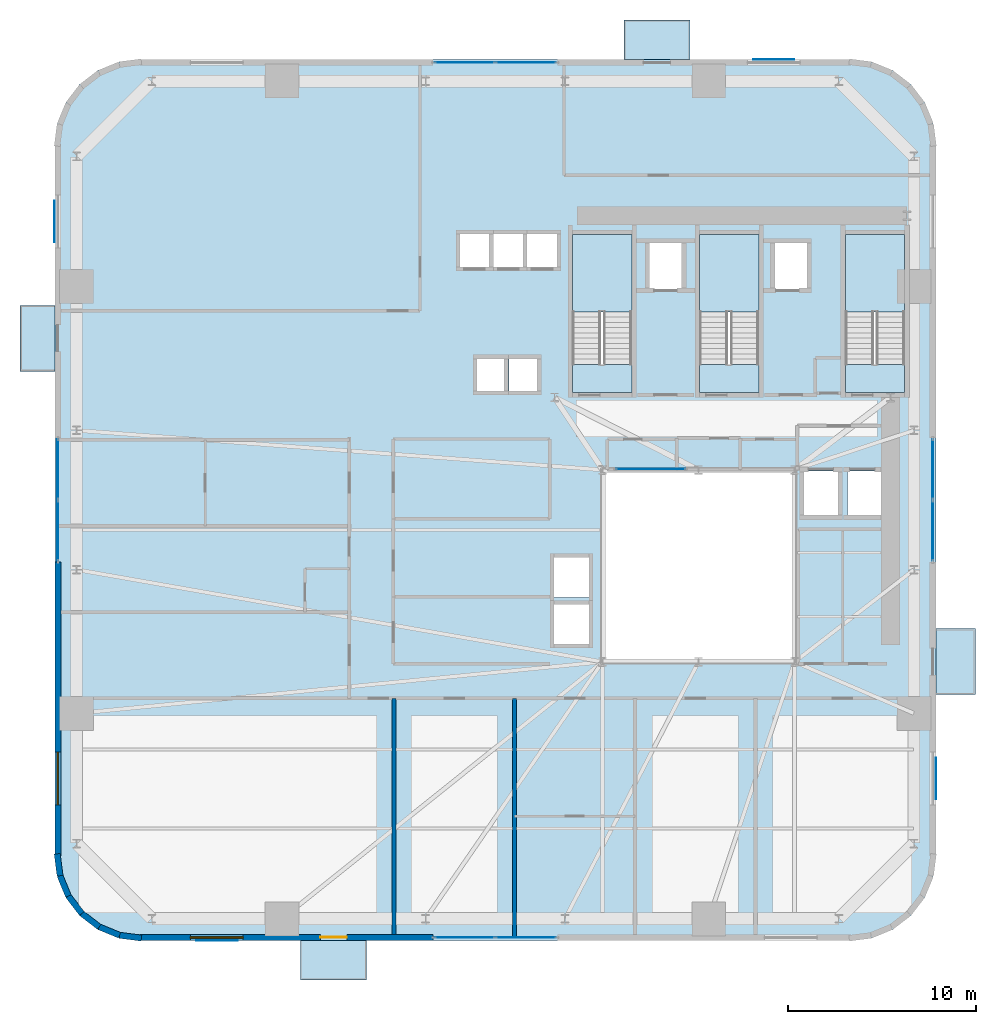
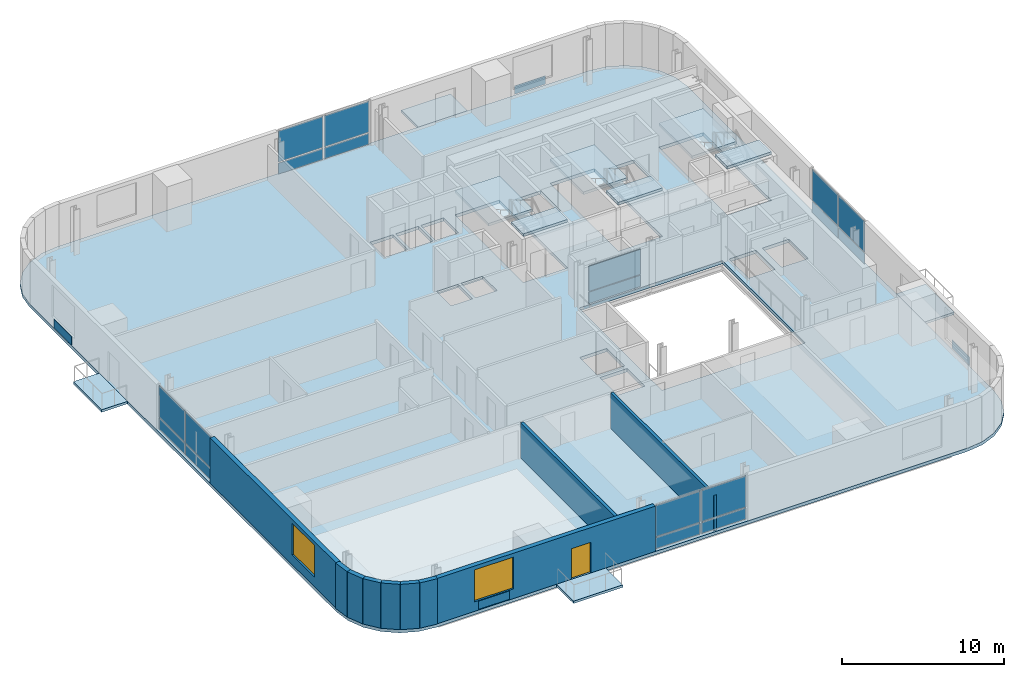
# One storey, part 5 of 13: 22 plates, 11 slabs, 10 walls, 2 windows, 1 door, 3 openings, 8 elements without a shape of their own.
"""IFC4 building model written with IfcOpenShell, lengths in metres."""

from ifc_helpers import new_model, si_unit, direction, frame, frame_2d, origin, origin_2d, place, context, subcontext, project, spatial, polyline, rectangle, outline, extrude, source, transform, mapped, material, layer, layer_set, type_object, element, fill, aggregate, save


model = new_model("IFC4")

# Units and contexts
model_context = context("Model", 3, precision=1e-05, world=origin(), true_north=direction((0.0, 1.0)))
body_context = subcontext(model_context, "Body", "Model", "MODEL_VIEW")
ifc_project = project(units=[si_unit("LENGTHUNIT", "METRE"), si_unit("AREAUNIT", "SQUARE_METRE"), si_unit("VOLUMEUNIT", "CUBIC_METRE"), si_unit("PLANEANGLEUNIT", "RADIAN"), si_unit("MASSUNIT", "GRAM", prefix="KILO")], contexts=[model_context])

# Site, building, storey
site_placement = place(None, origin())
site = spatial("IfcSite", under=ifc_project, at=site_placement, CompositionType="ELEMENT")
building_placement = place(site_placement, origin())
building = spatial("IfcBuilding", under=site, at=building_placement, Name="Vardaveli Station Tower", CompositionType="ELEMENT")
storey_placement = place(building_placement, frame((0.0, 0.0, 34.89990234375)))
storey = spatial("IfcBuildingStorey", under=building, at=storey_placement, Name="L08", CompositionType="ELEMENT", Elevation=34.89990234375)

# Stair, slabs
ifc_material_1 = material(Name="Concrete C40/50", Category="concrete")
stair_type = type_object("IfcStairType", Name="STR-CORE-1500", PredefinedType="HALF_TURN_STAIR", material=ifc_material_1)
stair_1_placement = place(storey_placement, origin())
stair_1 = element("IfcStair", 1, at=stair_1_placement, inside=storey, type_object=stair_type, Name="L08 ST-1", PredefinedType="HALF_TURN_STAIR")
ifc_layer_1 = layer(ifc_material_1, 0.199951171875, Name="Concrete C40/50")
ifc_layer_set_1 = layer_set([ifc_layer_1], Name="Concrete C40/50")
slab_type_1 = type_object("IfcSlabType", Name="SLB-LAND-200", PredefinedType="LANDING", material=ifc_layer_set_1)
slab_1_placement = place(storey_placement, frame((0.0, 0.0, 1.625)))
slab_1 = element("IfcSlab", 2, at=slab_1_placement, type_object=slab_type_1, Name="ST-1 landing 1", PredefinedType="LANDING", context=body_context, shape_type="SweptSolid", body=[
    extrude(outline(polyline([(32.75, 35.199951171875), (32.75, 39.300048828125), (29.60009765625, 39.300048828125), (29.60009765625, 35.199951171875), (32.75, 35.199951171875)])), origin(), (0.0, 0.0, 1.0), 0.2001953125),
])
slab_2_placement = place(storey_placement, frame((0.0, 0.0, 3.4501953125)))
slab_2 = element("IfcSlab", 3, at=slab_2_placement, type_object=slab_type_1, Name="ST-1 landing 2", PredefinedType="LANDING", context=body_context, shape_type="SweptSolid", body=[
    extrude(outline(polyline([(32.75, 30.89990234375), (32.75, 32.39990234375), (29.60009765625, 32.39990234375), (29.60009765625, 30.89990234375), (32.75, 30.89990234375)])), origin(), (0.0, 0.0, 1.0), 0.199951171875),
])
aggregate(stair_1, [slab_1, slab_2])

stair_2_placement = place(storey_placement, origin())
stair_2 = element("IfcStair", 4, at=stair_2_placement, inside=storey, type_object=stair_type, Name="L08 ST-2", PredefinedType="HALF_TURN_STAIR")
slab_3_placement = place(storey_placement, frame((0.0, 0.0, 1.625)))
slab_3 = element("IfcSlab", 5, at=slab_3_placement, type_object=slab_type_1, Name="ST-2 landing 1", PredefinedType="LANDING", context=body_context, shape_type="SweptSolid", body=[
    extrude(outline(polyline([(39.5, 35.199951171875), (39.5, 39.300048828125), (36.35009765625, 39.300048828125), (36.35009765625, 35.199951171875), (39.5, 35.199951171875)])), origin(), (0.0, 0.0, 1.0), 0.2001953125),
])
slab_4_placement = place(storey_placement, frame((0.0, 0.0, 3.4501953125)))
slab_4 = element("IfcSlab", 6, at=slab_4_placement, type_object=slab_type_1, Name="ST-2 landing 2", PredefinedType="LANDING", context=body_context, shape_type="SweptSolid", body=[
    extrude(outline(polyline([(39.5, 30.89990234375), (39.5, 32.39990234375), (36.35009765625, 32.39990234375), (36.35009765625, 30.89990234375), (39.5, 30.89990234375)])), origin(), (0.0, 0.0, 1.0), 0.199951171875),
])
aggregate(stair_2, [slab_3, slab_4])

stair_3_placement = place(storey_placement, origin())
stair_3 = element("IfcStair", 7, at=stair_3_placement, inside=storey, type_object=stair_type, Name="L08 ST-3", PredefinedType="HALF_TURN_STAIR")
slab_5_placement = place(storey_placement, frame((0.0, 0.0, 1.625)))
slab_5 = element("IfcSlab", 8, at=slab_5_placement, type_object=slab_type_1, Name="ST-3 landing 1", PredefinedType="LANDING", context=body_context, shape_type="SweptSolid", body=[
    extrude(outline(polyline([(47.25, 35.199951171875), (47.25, 39.300048828125), (44.10009765625, 39.300048828125), (44.10009765625, 35.199951171875), (47.25, 35.199951171875)])), origin(), (0.0, 0.0, 1.0), 0.2001953125),
])
slab_6_placement = place(storey_placement, frame((0.0, 0.0, 3.4501953125)))
slab_6 = element("IfcSlab", 9, at=slab_6_placement, type_object=slab_type_1, Name="ST-3 landing 2", PredefinedType="LANDING", context=body_context, shape_type="SweptSolid", body=[
    extrude(outline(polyline([(47.25, 30.89990234375), (47.25, 32.39990234375), (44.10009765625, 32.39990234375), (44.10009765625, 30.89990234375), (47.25, 30.89990234375)])), origin(), (0.0, 0.0, 1.0), 0.199951171875),
])
aggregate(stair_3, [slab_5, slab_6])

# Slabs
ifc_material_2 = material(Name="Precast concrete C45/55", Category="concrete")
ifc_layer_2 = layer(ifc_material_2, 0.179931640625, Name="Precast concrete C45/55")
ifc_layer_set_2 = layer_set([ifc_layer_2], Name="Precast concrete C45/55")
slab_type_2 = type_object("IfcSlabType", Name="SLB-LOGGIA-180", PredefinedType="FLOOR", material=ifc_layer_set_2)
slab_7_placement = place(storey_placement, frame((0.0, 0.0, -0.179931640625)))
element("IfcSlab", 10, at=slab_7_placement, inside=storey, type_object=slab_type_2, Name="LOG-L08-S", PredefinedType="FLOOR", context=body_context, shape_type="SweptSolid", body=[
    extrude(outline(polyline([(15.160400390625, -0.300048828125), (18.660400390625, -0.300048828125), (18.660400390625, 1.800048828125), (15.160400390625, 1.800048828125), (15.160400390625, -0.300048828125)])), origin(), (0.0, 0.0, 1.0), 0.179931640625),
])
slab_8_placement = place(storey_placement, frame((0.0, 0.0, -0.179931640625)))
element("IfcSlab", 11, at=slab_8_placement, inside=storey, type_object=slab_type_2, Name="LOG-L08-N", PredefinedType="FLOOR", context=body_context, shape_type="SweptSolid", body=[
    extrude(outline(polyline([(32.339599609375, 48.60009765625), (35.839599609375, 48.60009765625), (35.839599609375, 50.699951171875), (32.339599609375, 50.699951171875), (32.339599609375, 48.60009765625)])), origin(), (0.0, 0.0, 1.0), 0.179931640625),
])
slab_9_placement = place(storey_placement, frame((0.0, 0.0, -0.179931640625)))
element("IfcSlab", 12, at=slab_9_placement, inside=storey, type_object=slab_type_2, Name="LOG-L08-W", PredefinedType="FLOOR", context=body_context, shape_type="SweptSolid", body=[
    extrude(outline(polyline([(0.25, 32.03955078125), (2.10009765625, 32.03955078125), (2.10009765625, 35.53955078125), (0.25, 35.53955078125), (0.25, 32.03955078125)])), origin(), (0.0, 0.0, 1.0), 0.179931640625),
])
slab_10_placement = place(storey_placement, frame((0.0, 0.0, -0.179931640625)))
element("IfcSlab", 13, at=slab_10_placement, inside=storey, type_object=slab_type_2, Name="LOG-L08-E", PredefinedType="FLOOR", context=body_context, shape_type="SweptSolid", body=[
    extrude(outline(polyline([(48.89990234375, 14.8603515625), (51.0, 14.8603515625), (51.0, 18.3603515625), (48.89990234375, 18.3603515625), (48.89990234375, 14.8603515625)])), origin(), (0.0, 0.0, 1.0), 0.179931640625),
])
ifc_layer_3 = layer(ifc_material_1, 0.239990234375, Name="Concrete C40/50")
ifc_layer_set_3 = layer_set([ifc_layer_3], Name="Concrete C40/50")
slab_type_3 = type_object("IfcSlabType", Name="SLB-TOW-240", PredefinedType="FLOOR", material=ifc_layer_set_3)
slab_11_placement = place(storey_placement, frame((0.0, 0.0, -0.239990234375)))
element("IfcSlab", 14, at=slab_11_placement, inside=storey, type_object=slab_type_3, Name="SLB-L08-MAIN", PredefinedType="FLOOR", context=body_context, shape_type="SweptSolid", body=[
    extrude(outline(polyline([(2.10009765625, 6.300048828125), (2.25341796875, 5.13525390625), (2.702880859375, 4.050048828125), (3.41796875, 3.117919921875), (4.35009765625, 2.40283203125), (5.435302734375, 1.953369140625), (6.60009765625, 1.800048828125), (44.39990234375, 1.800048828125), (45.564697265625, 1.953369140625), (46.64990234375, 2.40283203125), (47.58203125, 3.117919921875), (48.297119140625, 4.050048828125), (48.74658203125, 5.13525390625), (48.89990234375, 6.300048828125), (48.89990234375, 44.10009765625), (48.74658203125, 45.2646484375), (48.297119140625, 46.35009765625), (47.58203125, 47.281982421875), (46.64990234375, 47.9970703125), (45.564697265625, 48.44677734375), (44.39990234375, 48.60009765625), (6.60009765625, 48.60009765625), (5.435302734375, 48.44677734375), (4.35009765625, 47.9970703125), (3.41796875, 47.281982421875), (2.702880859375, 46.35009765625), (2.25341796875, 45.2646484375), (2.10009765625, 44.10009765625), (2.10009765625, 6.300048828125)]), holes=[polyline([(31.199951171875, 16.60009765625), (41.39990234375, 16.60009765625), (41.39990234375, 26.800048828125), (31.199951171875, 26.800048828125), (31.199951171875, 16.60009765625)]), polyline([(32.75, 30.89990234375), (32.75, 39.300048828125), (29.60009765625, 39.300048828125), (29.60009765625, 30.89990234375), (32.75, 30.89990234375)]), polyline([(39.5, 30.89990234375), (39.5, 39.300048828125), (36.35009765625, 39.300048828125), (36.35009765625, 30.89990234375), (39.5, 30.89990234375)]), polyline([(47.25, 30.89990234375), (47.25, 39.300048828125), (44.10009765625, 39.300048828125), (44.10009765625, 30.89990234375), (47.25, 30.89990234375)]), polyline([(23.5849609375, 37.534912109375), (25.215087890625, 37.534912109375), (25.215087890625, 39.364990234375), (23.5849609375, 39.364990234375), (23.5849609375, 37.534912109375)]), polyline([(25.385009765625, 37.534912109375), (27.014892578125, 37.534912109375), (27.014892578125, 39.364990234375), (25.385009765625, 39.364990234375), (25.385009765625, 37.534912109375)]), polyline([(27.18505859375, 37.534912109375), (28.81494140625, 37.534912109375), (28.81494140625, 39.364990234375), (27.18505859375, 39.364990234375), (27.18505859375, 37.534912109375)]), polyline([(33.659912109375, 36.409912109375), (35.43994140625, 36.409912109375), (35.43994140625, 38.889892578125), (33.659912109375, 38.889892578125), (33.659912109375, 36.409912109375)]), polyline([(40.31005859375, 36.409912109375), (42.090087890625, 36.409912109375), (42.090087890625, 38.889892578125), (40.31005859375, 38.889892578125), (40.31005859375, 36.409912109375)]), polyline([(24.485107421875, 30.9599609375), (26.014892578125, 30.9599609375), (26.014892578125, 32.739990234375), (24.485107421875, 32.739990234375), (24.485107421875, 30.9599609375)]), polyline([(26.235107421875, 30.9599609375), (27.764892578125, 30.9599609375), (27.764892578125, 32.739990234375), (26.235107421875, 32.739990234375), (26.235107421875, 30.9599609375)]), polyline([(28.5849609375, 17.510009765625), (30.514892578125, 17.510009765625), (30.514892578125, 19.68994140625), (28.5849609375, 19.68994140625), (28.5849609375, 17.510009765625)]), polyline([(28.5849609375, 20.010009765625), (30.514892578125, 20.010009765625), (30.514892578125, 22.18994140625), (28.5849609375, 22.18994140625), (28.5849609375, 20.010009765625)]), polyline([(41.860107421875, 24.360107421875), (43.739990234375, 24.360107421875), (43.739990234375, 26.739990234375), (41.860107421875, 26.739990234375), (41.860107421875, 24.360107421875)]), polyline([(44.2099609375, 24.360107421875), (46.090087890625, 24.360107421875), (46.090087890625, 26.739990234375), (44.2099609375, 26.739990234375), (44.2099609375, 24.360107421875)])]), origin(), (0.0, 0.0, 1.0), 0.239990234375),
])

# Curtain wall, plates
ifc_material_3 = material(Name="Travertine stone and solar-control glass", Category="masonry")
curtain_wall_type_1 = type_object("IfcCurtainWallType", Name="CW-SYS-2", PredefinedType="NOTDEFINED", material=ifc_material_3)
curtain_wall_1_placement = place(storey_placement, origin())
curtain_wall_1 = element("IfcCurtainWall", 15, at=curtain_wall_1_placement, inside=storey, type_object=curtain_wall_type_1, Name="CW-L08-S", PredefinedType="NOTDEFINED")
ifc_material_4 = material(Name="Double-glazed low-E solar-control glass", Category="glass")
ifc_layer_4 = layer(ifc_material_4, 0.035888671875, Name="Double-glazed low-E solar-control glass")
ifc_layer_set_4 = layer_set([ifc_layer_4], Name="Double-glazed low-E solar-control glass")
plate_type_1 = type_object("IfcPlateType", Name="CW-SYS-2-PAN", PredefinedType="CURTAIN_PANEL", material=ifc_layer_set_4)
shared_shape_1 = source(origin(), body_context, "Body", "SweptSolid", [
    extrude(rectangle(XDim=3.172607421875, YDim=0.035888671875, at=origin_2d()), origin(), (0.0, 0.0, 1.0), 0.822509765625),
])
plate_1_placement = place(storey_placement, frame((23.871337890625, 1.9599609375, 0.0849609375), z_axis=(0.0, 0.0, 1.0), x_axis=(1.0, 0.0, 0.0)))
plate_1 = element("IfcPlate", 16, at=plate_1_placement, type_object=plate_type_1, Name="CW-2 panel 1.1", PredefinedType="CURTAIN_PANEL", context=body_context, shape_type="MappedRepresentation", body=[
    mapped(shared_shape_1, transform((0.0, 0.0, 0.0), scale=1.0)),
])
plate_2_placement = place(storey_placement, frame((27.128662109375, 1.9599609375, 0.0849609375), z_axis=(0.0, 0.0, 1.0), x_axis=(1.0, 0.0, 0.0)))
plate_2 = element("IfcPlate", 17, at=plate_2_placement, type_object=plate_type_1, Name="CW-2 panel 2.1", PredefinedType="CURTAIN_PANEL", context=body_context, shape_type="MappedRepresentation", body=[
    mapped(shared_shape_1, transform((0.0, 0.0, 0.0), scale=1.0)),
])

curtain_wall_2_placement = place(storey_placement, origin())
curtain_wall_2 = element("IfcCurtainWall", 18, at=curtain_wall_2_placement, inside=storey, type_object=curtain_wall_type_1, Name="CW-L08-N", PredefinedType="NOTDEFINED")
plate_3_placement = place(storey_placement, frame((27.128662109375, 48.43994140625, 0.0849609375), z_axis=(0.0, 0.0, 1.0), x_axis=(-1.0, 0.0, 0.0)))
plate_3 = element("IfcPlate", 19, at=plate_3_placement, type_object=plate_type_1, Name="CW-2 panel 1.1", PredefinedType="CURTAIN_PANEL", context=body_context, shape_type="MappedRepresentation", body=[
    mapped(shared_shape_1, transform((0.0, 0.0, 0.0), scale=1.0)),
])
plate_4_placement = place(storey_placement, frame((23.871337890625, 48.43994140625, 0.0849609375), z_axis=(0.0, 0.0, 1.0), x_axis=(-1.0, 0.0, 0.0)))
plate_4 = element("IfcPlate", 20, at=plate_4_placement, type_object=plate_type_1, Name="CW-2 panel 2.1", PredefinedType="CURTAIN_PANEL", context=body_context, shape_type="MappedRepresentation", body=[
    mapped(shared_shape_1, transform((0.0, 0.0, 0.0), scale=1.0)),
])

curtain_wall_3_placement = place(storey_placement, origin())
curtain_wall_3 = element("IfcCurtainWall", 21, at=curtain_wall_3_placement, inside=storey, type_object=curtain_wall_type_1, Name="CW-L08-W", PredefinedType="NOTDEFINED")
plate_5_placement = place(storey_placement, frame((2.260009765625, 26.828857421875, 0.0849609375), z_axis=(0.0, 0.0, 1.0), x_axis=(0.0, -1.0, 0.0)))
plate_5 = element("IfcPlate", 22, at=plate_5_placement, type_object=plate_type_1, Name="CW-2 panel 1.1", PredefinedType="CURTAIN_PANEL", context=body_context, shape_type="MappedRepresentation", body=[
    mapped(shared_shape_1, transform((0.0, 0.0, 0.0), scale=1.0)),
])
plate_6_placement = place(storey_placement, frame((2.260009765625, 23.5712890625, 0.0849609375), z_axis=(0.0, 0.0, 1.0), x_axis=(0.0, -1.0, 0.0)))
plate_6 = element("IfcPlate", 23, at=plate_6_placement, type_object=plate_type_1, Name="CW-2 panel 2.1", PredefinedType="CURTAIN_PANEL", context=body_context, shape_type="MappedRepresentation", body=[
    mapped(shared_shape_1, transform((0.0, 0.0, 0.0), scale=1.0)),
])

curtain_wall_4_placement = place(storey_placement, origin())
curtain_wall_4 = element("IfcCurtainWall", 24, at=curtain_wall_4_placement, inside=storey, type_object=curtain_wall_type_1, Name="CW-L08-E", PredefinedType="NOTDEFINED")
plate_7_placement = place(storey_placement, frame((48.739990234375, 23.5712890625, 0.0849609375), z_axis=(0.0, 0.0, 1.0), x_axis=(0.0, 1.0, 0.0)))
plate_7 = element("IfcPlate", 25, at=plate_7_placement, type_object=plate_type_1, Name="CW-2 panel 1.1", PredefinedType="CURTAIN_PANEL", context=body_context, shape_type="MappedRepresentation", body=[
    mapped(shared_shape_1, transform((0.0, 0.0, 0.0), scale=1.0)),
])
plate_8_placement = place(storey_placement, frame((48.739990234375, 26.828857421875, 0.0849609375), z_axis=(0.0, 0.0, 1.0), x_axis=(0.0, 1.0, 0.0)))
plate_8 = element("IfcPlate", 26, at=plate_8_placement, type_object=plate_type_1, Name="CW-2 panel 2.1", PredefinedType="CURTAIN_PANEL", context=body_context, shape_type="MappedRepresentation", body=[
    mapped(shared_shape_1, transform((0.0, 0.0, 0.0), scale=1.0)),
])

# Plate
shared_shape_2 = source(origin(), body_context, "Body", "SweptSolid", [
    extrude(rectangle(XDim=3.172607421875, YDim=0.035888671875, at=origin_2d()), origin(), (0.0, 0.0, 1.0), 2.33251953125),
])
plate_9_placement = place(storey_placement, frame((23.871337890625, 1.9599609375, 0.99267578125), z_axis=(0.0, 0.0, 1.0), x_axis=(1.0, 0.0, 0.0)))
plate_9 = element("IfcPlate", 27, at=plate_9_placement, type_object=plate_type_1, Name="CW-2 panel 1.2", PredefinedType="CURTAIN_PANEL", context=body_context, shape_type="MappedRepresentation", body=[
    mapped(shared_shape_2, transform((0.0, 0.0, 0.0), scale=1.0)),
])

plate_10_placement = place(storey_placement, frame((27.128662109375, 1.9599609375, 0.99267578125), z_axis=(0.0, 0.0, 1.0), x_axis=(1.0, 0.0, 0.0)))
plate_10 = element("IfcPlate", 28, at=plate_10_placement, type_object=plate_type_1, Name="CW-2 panel 2.2", PredefinedType="CURTAIN_PANEL", context=body_context, shape_type="MappedRepresentation", body=[
    mapped(shared_shape_2, transform((0.0, 0.0, 0.0), scale=1.0)),
])

aggregate(curtain_wall_1, [plate_1, plate_9, plate_2, plate_10])

plate_11_placement = place(storey_placement, frame((27.128662109375, 48.43994140625, 0.99267578125), z_axis=(0.0, 0.0, 1.0), x_axis=(-1.0, 0.0, 0.0)))
plate_11 = element("IfcPlate", 29, at=plate_11_placement, type_object=plate_type_1, Name="CW-2 panel 1.2", PredefinedType="CURTAIN_PANEL", context=body_context, shape_type="MappedRepresentation", body=[
    mapped(shared_shape_2, transform((0.0, 0.0, 0.0), scale=1.0)),
])

plate_12_placement = place(storey_placement, frame((23.871337890625, 48.43994140625, 0.99267578125), z_axis=(0.0, 0.0, 1.0), x_axis=(-1.0, 0.0, 0.0)))
plate_12 = element("IfcPlate", 30, at=plate_12_placement, type_object=plate_type_1, Name="CW-2 panel 2.2", PredefinedType="CURTAIN_PANEL", context=body_context, shape_type="MappedRepresentation", body=[
    mapped(shared_shape_2, transform((0.0, 0.0, 0.0), scale=1.0)),
])

aggregate(curtain_wall_2, [plate_3, plate_11, plate_4, plate_12])

plate_13_placement = place(storey_placement, frame((2.260009765625, 26.828857421875, 0.99267578125), z_axis=(0.0, 0.0, 1.0), x_axis=(0.0, -1.0, 0.0)))
plate_13 = element("IfcPlate", 31, at=plate_13_placement, type_object=plate_type_1, Name="CW-2 panel 1.2", PredefinedType="CURTAIN_PANEL", context=body_context, shape_type="MappedRepresentation", body=[
    mapped(shared_shape_2, transform((0.0, 0.0, 0.0), scale=1.0)),
])

plate_14_placement = place(storey_placement, frame((2.260009765625, 23.5712890625, 0.99267578125), z_axis=(0.0, 0.0, 1.0), x_axis=(0.0, -1.0, 0.0)))
plate_14 = element("IfcPlate", 32, at=plate_14_placement, type_object=plate_type_1, Name="CW-2 panel 2.2", PredefinedType="CURTAIN_PANEL", context=body_context, shape_type="MappedRepresentation", body=[
    mapped(shared_shape_2, transform((0.0, 0.0, 0.0), scale=1.0)),
])

aggregate(curtain_wall_3, [plate_5, plate_13, plate_6, plate_14])

plate_15_placement = place(storey_placement, frame((48.739990234375, 23.5712890625, 0.99267578125), z_axis=(0.0, 0.0, 1.0), x_axis=(0.0, 1.0, 0.0)))
plate_15 = element("IfcPlate", 33, at=plate_15_placement, type_object=plate_type_1, Name="CW-2 panel 1.2", PredefinedType="CURTAIN_PANEL", context=body_context, shape_type="MappedRepresentation", body=[
    mapped(shared_shape_2, transform((0.0, 0.0, 0.0), scale=1.0)),
])

plate_16_placement = place(storey_placement, frame((48.739990234375, 26.828857421875, 0.99267578125), z_axis=(0.0, 0.0, 1.0), x_axis=(0.0, 1.0, 0.0)))
plate_16 = element("IfcPlate", 34, at=plate_16_placement, type_object=plate_type_1, Name="CW-2 panel 2.2", PredefinedType="CURTAIN_PANEL", context=body_context, shape_type="MappedRepresentation", body=[
    mapped(shared_shape_2, transform((0.0, 0.0, 0.0), scale=1.0)),
])

aggregate(curtain_wall_4, [plate_7, plate_15, plate_8, plate_16])

# Plates
ifc_material_5 = material(Name="Honed Caucasian travertine stone", Category="masonry")
ifc_layer_5 = layer(ifc_material_5, 0.034912109375, Name="Honed Caucasian travertine stone")
ifc_layer_set_5 = layer_set([ifc_layer_5], Name="Honed Caucasian travertine stone")
plate_type_2 = type_object("IfcPlateType", Name="PLT-TRAV-35", PredefinedType="SHEET", material=ifc_layer_set_5)
shared_shape_3 = source(origin(), body_context, "Body", "SweptSolid", [
    extrude(rectangle(XDim=2.199951171875, YDim=0.034912109375, at=origin_2d()), origin(), (0.0, 0.0, 1.0), 0.6201171875),
])
for number, where, z_axis, x_axis, name in (
    (35, (10.705078125, 1.79052734375, 0.070068359375), (0.0, 0.0, 1.0), (1.0, 0.0, 0.0), "PLT-TR-L08-S"),
    (36, (40.294921875, 48.609619140625, 0.070068359375), (0.0, 0.0, 1.0), (1.0, 0.0, 0.0), "PLT-TR-L08-N"),
    (37, (2.090576171875, 39.9951171875, 0.070068359375), (0.0, 0.0, 1.0), (0.0, 1.0, 0.0), "PLT-TR-L08-W"),
    (38, (48.909423828125, 10.405029296875, 0.070068359375), (0.0, 0.0, 1.0), (0.0, 1.0, 0.0), "PLT-TR-L08-E"),
):
    element("IfcPlate", number, at=place(storey_placement, frame(where, z_axis=z_axis, x_axis=x_axis)), inside=storey, type_object=plate_type_2, Name=name, PredefinedType="SHEET", context=body_context, shape_type="MappedRepresentation", body=[
        mapped(shared_shape_3, transform((0.0, 0.0, 0.0), scale=1.0)),
    ])

# Curtain wall, plates
curtain_wall_type_2 = type_object("IfcCurtainWallType", Name="CW-SYS-4", PredefinedType="NOTDEFINED", material=ifc_material_3)
curtain_wall_5_placement = place(storey_placement, origin())
curtain_wall_5 = element("IfcCurtainWall", 39, at=curtain_wall_5_placement, inside=storey, type_object=curtain_wall_type_2, Name="CW-L08-ATN", PredefinedType="NOTDEFINED")
ifc_layer_6 = layer(ifc_material_4, 0.028076171875, Name="Double-glazed low-E solar-control glass")
ifc_layer_set_6 = layer_set([ifc_layer_6], Name="Double-glazed low-E solar-control glass")
plate_type_3 = type_object("IfcPlateType", Name="CW-SYS-4-PAN", PredefinedType="CURTAIN_PANEL", material=ifc_layer_set_6)
shared_shape_4 = source(origin(), body_context, "Body", "SweptSolid", [
    extrude(rectangle(XDim=3.659912109375, YDim=0.028076171875, at=origin_2d()), origin(), (0.0, 0.0, 1.0), 0.844970703125),
])
plate_17_placement = place(storey_placement, frame((33.75, 26.85009765625, 0.0703125), z_axis=(0.0, 0.0, 1.0), x_axis=(1.0, 0.0, 0.0)))
plate_17 = element("IfcPlate", 40, at=plate_17_placement, type_object=plate_type_3, Name="CW-4 panel 1.1", PredefinedType="CURTAIN_PANEL", context=body_context, shape_type="MappedRepresentation", body=[
    mapped(shared_shape_4, transform((0.0, 0.0, 0.0), scale=1.0)),
])
shared_shape_5 = source(origin(), body_context, "Body", "SweptSolid", [
    extrude(rectangle(XDim=3.659912109375, YDim=0.028076171875, at=origin_2d()), origin(), (0.0, 0.0, 1.0), 1.89501953125),
])
plate_18_placement = place(storey_placement, frame((33.75, 26.85009765625, 0.985107421875), z_axis=(0.0, 0.0, 1.0), x_axis=(1.0, 0.0, 0.0)))
plate_18 = element("IfcPlate", 41, at=plate_18_placement, type_object=plate_type_3, Name="CW-4 panel 1.2", PredefinedType="CURTAIN_PANEL", context=body_context, shape_type="MappedRepresentation", body=[
    mapped(shared_shape_5, transform((0.0, 0.0, 0.0), scale=1.0)),
])
aggregate(curtain_wall_5, [plate_17, plate_18])

# Wall, openings, door, window
ifc_layer_7 = layer(ifc_material_2, 0.320068359375, Name="Precast concrete C45/55")
ifc_layer_set_7 = layer_set([ifc_layer_7], Name="Precast concrete C45/55")
wall_type_1 = type_object("IfcWallType", Name="WAL-EXT-STONE-320", PredefinedType="SOLIDWALL", material=ifc_layer_set_7)
shared_shape_6 = source(origin(), body_context, "Body", "SweptSolid", [
    extrude(rectangle(XDim=15.599853515625, YDim=0.320068359375, at=frame_2d((7.7998046875, 0.0))), origin(), (0.0, 0.0, 1.0), 3.41015625),
])
wall_1_placement = place(storey_placement, frame((6.60009765625, 1.9599609375, 0.0), z_axis=(0.0, 0.0, 1.0), x_axis=(1.0, 0.0, 0.0)))
wall_1 = element("IfcWall", 42, at=wall_1_placement, inside=storey, type_object=wall_type_1, Name="EW-L08-S1", PredefinedType="SOLIDWALL", context=body_context, shape_type="MappedRepresentation", body=[
    mapped(shared_shape_6, transform((0.0, 0.0, 0.0), scale=1.0)),
])
shared_shape_7 = source(origin(), body_context, "Body", "SweptSolid", [
    extrude(rectangle(XDim=1.39990234375, YDim=2.300048828125, at=frame_2d((0.699951171875, 1.14990234375))), frame((0.0, 0.169921875, 0.0), z_axis=(0.0, -1.0, 0.0), x_axis=(1.0, 0.0, 0.0)), (0.0, 0.0, 1.0), 0.340087890625),
])
opening_1_placement = place(wall_1_placement, frame((9.6103515625, 0.0, 0.0)))
opening_1 = element("IfcOpeningElement", 43, at=opening_1_placement, cuts=wall_1, Name="Opening D-09", PredefinedType="OPENING", context=body_context, shape_type="MappedRepresentation", body=[
    mapped(shared_shape_7, transform((0.0, 0.0, 0.0), scale=1.0)),
])
shared_shape_8 = source(origin(), body_context, "Body", "SweptSolid", [
    extrude(rectangle(XDim=2.800048828125, YDim=2.39990234375, at=frame_2d((1.39990234375, 1.199951171875))), frame((0.0, 0.169921875, 0.0), z_axis=(0.0, -1.0, 0.0), x_axis=(1.0, 0.0, 0.0)), (0.0, 0.0, 1.0), 0.340087890625),
])
opening_2_placement = place(wall_1_placement, frame((2.705078125, 0.0, 0.719970703125)))
opening_2 = element("IfcOpeningElement", 44, at=opening_2_placement, cuts=wall_1, Name="Opening W-04", PredefinedType="OPENING", context=body_context, shape_type="MappedRepresentation", body=[
    mapped(shared_shape_8, transform((0.0, 0.0, 0.0), scale=1.0)),
])
ifc_material_6 = material(Name="Thermally broken aluminium glass", Category="aluminium")
door_type = type_object("IfcDoorType", Name="DR-LOG-1400x2300", OperationType="DOUBLE_DOOR_SLIDING", PredefinedType="DOOR", material=ifc_material_6)
shared_shape_9 = source(origin(), body_context, "Body", "SweptSolid", [
    extrude(rectangle(XDim=1.39990234375, YDim=2.300048828125, at=frame_2d((0.699951171875, 1.14990234375))), frame((0.0, 0.02490234375, 0.0), z_axis=(0.0, -1.0, 0.0), x_axis=(1.0, 0.0, 0.0)), (0.0, 0.0, 1.0), 0.050048828125),
])
door_placement = place(opening_1_placement, frame((1.39990234375, 0.0, 0.0), z_axis=(0.0, 0.0, 1.0), x_axis=(-1.0, 0.0, 0.0)))
door = element("IfcDoor", 45, at=door_placement, inside=storey, type_object=door_type, Name="DLG-L08-S", OperationType="DOUBLE_DOOR_SLIDING", OverallHeight=2.300048828125, OverallWidth=1.39990234375, PredefinedType="DOOR", context=body_context, shape_type="MappedRepresentation", body=[
    mapped(shared_shape_9, transform((0.0, 0.0, 0.0), scale=1.0)),
])
fill(opening_1, door)
ifc_material_7 = material(Name="Low-E solar-control glass", Category="glass")
window_type = type_object("IfcWindowType", Name="WIN-SUITE-2800x2400", PartitioningType="SINGLE_PANEL", PredefinedType="WINDOW", material=ifc_material_7)
shared_shape_10 = source(origin(), body_context, "Body", "SweptSolid", [
    extrude(rectangle(XDim=2.800048828125, YDim=2.39990234375, at=frame_2d((1.39990234375, 1.199951171875))), frame((0.0, 0.030029296875, 0.0), z_axis=(0.0, -1.0, 0.0), x_axis=(1.0, 0.0, 0.0)), (0.0, 0.0, 1.0), 0.06005859375),
])
window_1_placement = place(opening_2_placement, origin())
window_1 = element("IfcWindow", 46, at=window_1_placement, inside=storey, type_object=window_type, Name="WN-L08-S1", OverallHeight=2.39990234375, OverallWidth=2.800048828125, PartitioningType="SINGLE_PANEL", PredefinedType="WINDOW", context=body_context, shape_type="MappedRepresentation", body=[
    mapped(shared_shape_10, transform((0.0, 0.0, 0.0), scale=1.0)),
])
fill(opening_2, window_1)

# Wall, opening, window
wall_2_placement = place(storey_placement, frame((2.260009765625, 21.89990234375, 0.0), z_axis=(0.0, 0.0, 1.0), x_axis=(0.0, -1.0, 0.0)))
wall_2 = element("IfcWall", 47, at=wall_2_placement, inside=storey, type_object=wall_type_1, Name="EW-L08-W2", PredefinedType="SOLIDWALL", context=body_context, shape_type="MappedRepresentation", body=[
    mapped(shared_shape_6, transform((0.0, 0.0, 0.0), scale=1.0)),
])
opening_3_placement = place(wall_2_placement, frame((10.094970703125, 0.0, 0.719970703125)))
opening_3 = element("IfcOpeningElement", 48, at=opening_3_placement, cuts=wall_2, Name="Opening W-04", PredefinedType="OPENING", context=body_context, shape_type="MappedRepresentation", body=[
    mapped(shared_shape_8, transform((0.0, 0.0, 0.0), scale=1.0)),
])
window_2_placement = place(opening_3_placement, origin())
window_2 = element("IfcWindow", 49, at=window_2_placement, inside=storey, type_object=window_type, Name="WN-L08-W2", OverallHeight=2.39990234375, OverallWidth=2.800048828125, PartitioningType="SINGLE_PANEL", PredefinedType="WINDOW", context=body_context, shape_type="MappedRepresentation", body=[
    mapped(shared_shape_10, transform((0.0, 0.0, 0.0), scale=1.0)),
])
fill(opening_3, window_2)

# Walls
shared_shape_11 = source(origin(), body_context, "Body", "SweptSolid", [
    extrude(rectangle(XDim=1.170654296875, YDim=0.320068359375, at=frame_2d((0.58544921875, 0.0))), origin(), (0.0, 0.0, 1.0), 3.41015625),
])
wall_3_placement = place(storey_placement, frame((2.224365234375, 6.400634765625, 0.0), z_axis=(0.0, 0.0, 1.0), x_axis=(0.128269133229, -0.991739395941, 0.0)))
element("IfcWall", 50, at=wall_3_placement, inside=storey, type_object=wall_type_1, Name="EW-L08-CR1-1", PredefinedType="SOLIDWALL", context=body_context, shape_type="MappedRepresentation", body=[
    mapped(shared_shape_11, transform((0.0, 0.0, 0.0), scale=1.0)),
])
shared_shape_12 = source(origin(), body_context, "Body", "SweptSolid", [
    extrude(rectangle(XDim=1.1689453125, YDim=0.320068359375, at=frame_2d((0.58447265625, 0.0))), origin(), (0.0, 0.0, 1.0), 3.41015625),
])
for number, where, z_axis, x_axis, name in (
    (51, (2.37451171875, 5.23974609375, 0.0), (0.0, 0.0, 1.0), (0.381127904695, -0.924522320046, 0.0), "EW-L08-CR1-2"),
    (52, (2.820068359375, 4.158935546875, 0.0), (0.0, 0.0, 1.0), (0.608387696831, -0.793639975269, 0.0), "EW-L08-CR1-3"),
):
    element("IfcWall", number, at=place(storey_placement, frame(where, z_axis=z_axis, x_axis=x_axis)), inside=storey, type_object=wall_type_1, Name=name, PredefinedType="SOLIDWALL", context=body_context, shape_type="MappedRepresentation", body=[
        mapped(shared_shape_12, transform((0.0, 0.0, 0.0), scale=1.0)),
    ])
shared_shape_13 = source(origin(), body_context, "Body", "SweptSolid", [
    extrude(rectangle(XDim=1.168701171875, YDim=0.320068359375, at=frame_2d((0.58447265625, 0.0))), origin(), (0.0, 0.0, 1.0), 3.41015625),
])
wall_4_placement = place(storey_placement, frame((3.53125, 3.231201171875, 0.0), z_axis=(0.0, 0.0, 1.0), x_axis=(0.793663520347, -0.608356981114, 0.0)))
element("IfcWall", 53, at=wall_4_placement, inside=storey, type_object=wall_type_1, Name="EW-L08-CR1-4", PredefinedType="SOLIDWALL", context=body_context, shape_type="MappedRepresentation", body=[
    mapped(shared_shape_13, transform((0.0, 0.0, 0.0), scale=1.0)),
])
shared_shape_14 = source(origin(), body_context, "Body", "SweptSolid", [
    extrude(rectangle(XDim=1.16943359375, YDim=0.320068359375, at=frame_2d((0.584716796875, 0.0))), origin(), (0.0, 0.0, 1.0), 3.41015625),
])
wall_5_placement = place(storey_placement, frame((4.458740234375, 2.520263671875, 0.0), z_axis=(0.0, 0.0, 1.0), x_axis=(0.924479075121, -0.381232789334, 0.0)))
element("IfcWall", 54, at=wall_5_placement, inside=storey, type_object=wall_type_1, Name="EW-L08-CR1-5", PredefinedType="SOLIDWALL", context=body_context, shape_type="MappedRepresentation", body=[
    mapped(shared_shape_14, transform((0.0, 0.0, 0.0), scale=1.0)),
])
shared_shape_15 = source(origin(), body_context, "Body", "SweptSolid", [
    extrude(rectangle(XDim=1.170166015625, YDim=0.320068359375, at=frame_2d((0.5849609375, 0.0))), origin(), (0.0, 0.0, 1.0), 3.41015625),
])
wall_6_placement = place(storey_placement, frame((5.539794921875, 2.074462890625, 0.0), z_axis=(0.0, 0.0, 1.0), x_axis=(0.991762485493, -0.128090485085, 0.0)))
element("IfcWall", 55, at=wall_6_placement, inside=storey, type_object=wall_type_1, Name="EW-L08-CR1-6", PredefinedType="SOLIDWALL", context=body_context, shape_type="MappedRepresentation", body=[
    mapped(shared_shape_15, transform((0.0, 0.0, 0.0), scale=1.0)),
])
ifc_material_8 = material(Name="Acoustic twin-stud gypsum partition")
ifc_layer_8 = layer(ifc_material_8, 0.199951171875, Name="Acoustic twin-stud gypsum partition")
ifc_layer_set_8 = layer_set([ifc_layer_8], Name="Acoustic twin-stud gypsum partition")
wall_type_2 = type_object("IfcWallType", Name="WAL-PARTY-200", PredefinedType="PARTITIONING", material=ifc_layer_set_8)
shared_shape_16 = source(origin(), body_context, "Body", "SweptSolid", [
    extrude(rectangle(XDim=12.537841796875, YDim=0.199951171875, at=frame_2d((6.26904296875, 0.0))), origin(), (0.0, 0.0, 1.0), 2.652099609375),
])
wall_7_placement = place(storey_placement, frame((20.1201171875, 2.1220703125, 0.0), z_axis=(0.0, 0.0, 1.0), x_axis=(0.0, 1.0, 0.0)))
element("IfcWall", 56, at=wall_7_placement, inside=storey, type_object=wall_type_2, Name="W-L08-PS1", PredefinedType="PARTITIONING", context=body_context, shape_type="MappedRepresentation", body=[
    mapped(shared_shape_16, transform((0.0, 0.0, 0.0), scale=1.0)),
])
shared_shape_17 = source(origin(), body_context, "Body", "SweptSolid", [
    extrude(rectangle(XDim=12.72998046875, YDim=0.199951171875, at=frame_2d((6.364990234375, 0.0))), origin(), (0.0, 0.0, 1.0), 2.652099609375),
])
wall_8_placement = place(storey_placement, frame((26.52294921875, 1.929931640625, 0.0), z_axis=(0.0, 0.0, 1.0), x_axis=(0.0, 1.0, 0.0)))
element("IfcWall", 57, at=wall_8_placement, inside=storey, type_object=wall_type_2, Name="W-L08-PS2", PredefinedType="PARTITIONING", context=body_context, shape_type="MappedRepresentation", body=[
    mapped(shared_shape_17, transform((0.0, 0.0, 0.0), scale=1.0)),
])

save(model, "model.ifc")
